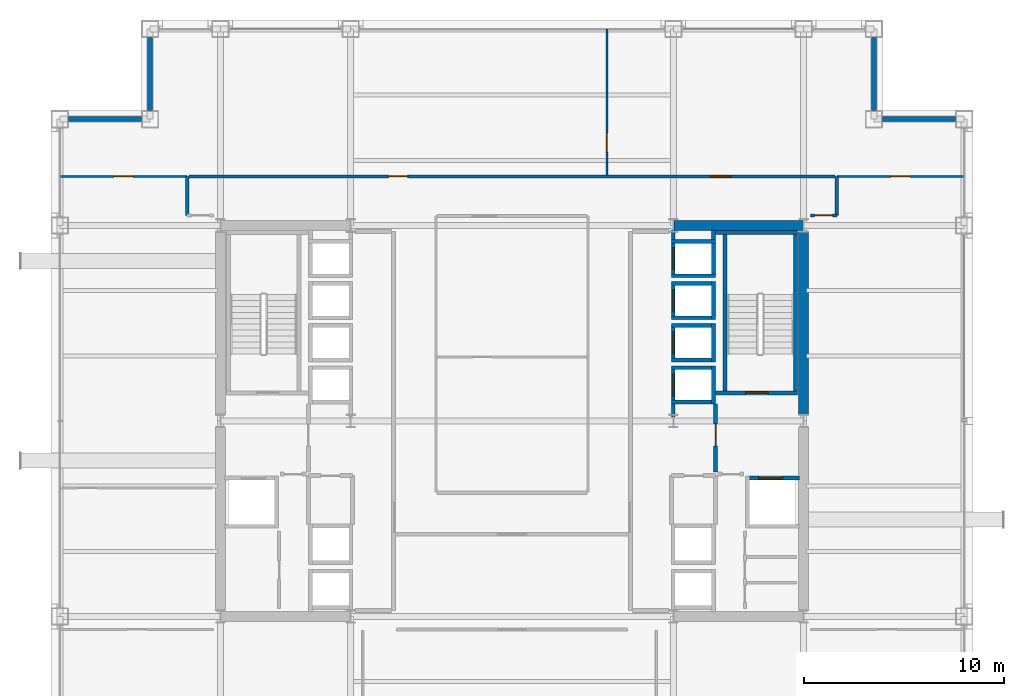
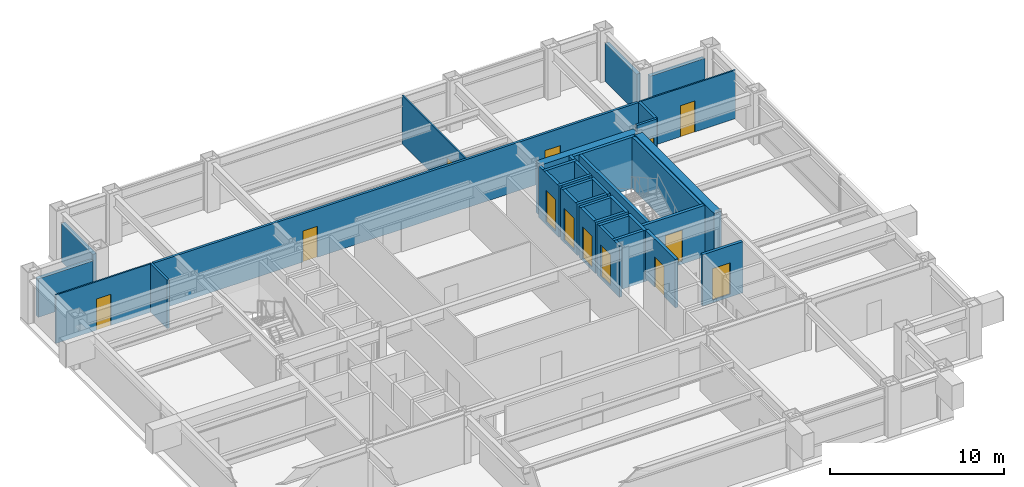
# One storey, part 26 of 28: 35 walls, 13 doors, 13 openings.
"""IFC4 building model written with IfcOpenShell, lengths in metres."""

from ifc_helpers import new_model, si_unit, direction, frame, frame_2d, origin, place, context, subcontext, project, spatial, rectangle, extrude, material, layer, layer_set, type_object, element, fill, save


model = new_model("IFC4")

# Units and contexts
model_context = context("Model", 3, precision=1e-05, world=origin(), true_north=direction((0.0, 1.0)))
body_context = subcontext(model_context, "Body", "Model", "MODEL_VIEW")
ifc_project = project(units=[si_unit("LENGTHUNIT", "METRE"), si_unit("AREAUNIT", "SQUARE_METRE"), si_unit("VOLUMEUNIT", "CUBIC_METRE"), si_unit("PLANEANGLEUNIT", "RADIAN"), si_unit("MASSUNIT", "GRAM", prefix="KILO")], contexts=[model_context])

# Site, building, storey
site_placement = place(None, origin())
site = spatial("IfcSite", under=ifc_project, at=site_placement, CompositionType="ELEMENT")
building_placement = place(site_placement, origin())
building = spatial("IfcBuilding", under=site, at=building_placement, Name="Brelmoor Portico Tower", CompositionType="ELEMENT")
storey_placement = place(building_placement, frame((0.0, 0.0, 91.800048828125)))
storey = spatial("IfcBuildingStorey", under=building, at=storey_placement, Name="L23", CompositionType="ELEMENT", Elevation=91.800048828125)

# Walls
ifc_material_1 = material(Name="Concrete C60", Category="concrete")
ifc_layer_1 = layer(ifc_material_1, 0.5)
ifc_layer_set_1 = layer_set([ifc_layer_1], Name="Concrete C60")
wall_type_1 = type_object("IfcWallType", Name="WL-CORE-500", PredefinedType="SHEAR", material=ifc_layer_set_1)
wall_1_placement = place(storey_placement, frame((8.070068359375, 9.75, -0.199951171875), z_axis=(0.0, 0.0, 1.0), x_axis=(1.0, 0.0, 0.0)))
element("IfcWall", 1, at=wall_1_placement, inside=storey, type_object=wall_type_1, Name="L23 EC North Shear Wall", PredefinedType="SHEAR", context=body_context, shape_type="SweptSolid", body=[
    extrude(rectangle(XDim=6.4599609375, YDim=0.5, at=frame_2d((3.22998046875, 0.0))), origin(), (0.0, 0.0, 1.0), 3.599853515625),
])
wall_2_placement = place(storey_placement, frame((14.550048828125, 0.324951171875, -0.199951171875), z_axis=(0.0, 0.0, 1.0), x_axis=(0.0, 1.0, 0.0)))
element("IfcWall", 2, at=wall_2_placement, inside=storey, type_object=wall_type_1, Name="L23 EC Outer North Shear Wall", PredefinedType="SHEAR", context=body_context, shape_type="SweptSolid", body=[
    extrude(rectangle(XDim=9.10009765625, YDim=0.5, at=frame_2d((4.550048828125, 0.0))), origin(), (0.0, 0.0, 1.0), 3.599853515625),
])
ifc_material_2 = material(Name="Precast Concrete C40 Insulated Facade Wall", Category="concrete")
ifc_layer_2 = layer(ifc_material_2, 0.25)
ifc_layer_set_2 = layer_set([ifc_layer_2], Name="Precast Concrete C40 Insulated Facade Wall")
wall_type_2 = type_object("IfcWallType", Name="WL-EXT-250", PredefinedType="STANDARD", material=ifc_layer_set_2)
for number, where, z_axis, x_axis, name in (
    (3, (-22.114990234375, 15.050048828125, 0.0), (0.0, 0.0, 1.0), (1.0, 0.0, 0.0), "L23 Corner Notch Facade Wall NNWH1"),
    (4, (-18.050048828125, 15.485107421875, 0.0), (0.0, 0.0, 1.0), (0.0, 1.0, 0.0), "L23 Corner Notch Facade Wall NNWV1"),
    (5, (18.485107421875, 15.050048828125, 0.0), (0.0, 0.0, 1.0), (1.0, 0.0, 0.0), "L23 Corner Notch Facade Wall NNEH1"),
    (6, (18.050048828125, 15.485107421875, 0.0), (0.0, 0.0, 1.0), (0.0, 1.0, 0.0), "L23 Corner Notch Facade Wall NNEV1"),
):
    element("IfcWall", number, at=place(storey_placement, frame(where, z_axis=z_axis, x_axis=x_axis)), inside=storey, type_object=wall_type_2, Name=name, PredefinedType="STANDARD", context=body_context, shape_type="SweptSolid", body=[
        extrude(rectangle(XDim=3.6298828125, YDim=0.25, at=frame_2d((1.81494140625, 0.0))), origin(), (0.0, 0.0, 1.0), 2.699951171875),
    ])

# Wall, opening, door
ifc_material_3 = material(Name="Demountable Glazed Office Partition", Category="aluminium")
ifc_layer_3 = layer(ifc_material_3, 0.10009765625)
ifc_layer_set_3 = layer_set([ifc_layer_3], Name="Demountable Glazed Office Partition")
wall_type_3 = type_object("IfcWallType", Name="WL-PART-100", PredefinedType="PARTITIONING", material=ifc_layer_set_3)
wall_3_placement = place(storey_placement, frame((4.73486328125, 12.260009765625, 0.0), z_axis=(0.0, 0.0, 1.0), x_axis=(0.0, 1.0, 0.0)))
wall_3 = element("IfcWall", 7, at=wall_3_placement, inside=storey, type_object=wall_type_3, Name="L23 North Suite Partition 1", PredefinedType="PARTITIONING", context=body_context, shape_type="SweptSolid", body=[
    extrude(rectangle(XDim=7.300048828125, YDim=0.10009765625, at=frame_2d((3.64990234375, 0.0))), origin(), (0.0, 0.0, 1.0), 3.39990234375),
])
opening_1_placement = place(wall_3_placement, frame((1.14990234375, 0.0, 0.0)))
opening_1 = element("IfcOpeningElement", 8, at=opening_1_placement, cuts=wall_3, Name="Opening D-IN2", PredefinedType="OPENING", context=body_context, shape_type="SweptSolid", body=[
    extrude(rectangle(XDim=0.9599609375, YDim=2.179931640625, at=frame_2d((0.47998046875, 1.08984375))), frame((0.0, 0.06005859375, 0.0), z_axis=(0.0, -1.0, 0.0), x_axis=(1.0, 0.0, 0.0)), (0.0, 0.0, 1.0), 0.1201171875),
])
ifc_material_4 = material(Name="Lacquered Timber Suite Door", Category="wood")
door_type_1 = type_object("IfcDoorType", Name="DR-INT-950", OperationType="NOTDEFINED", PredefinedType="DOOR", material=ifc_material_4)
door_1_placement = place(opening_1_placement, origin())
door_1 = element("IfcDoor", 9, at=door_1_placement, inside=storey, type_object=door_type_1, Name="D-1033 L23 North Suite Connecting Door 1", OperationType="SINGLE_SWING_RIGHT", OverallHeight=2.179931640625, OverallWidth=0.9599609375, PredefinedType="DOOR", context=body_context, shape_type="SweptSolid", body=[
    extrude(rectangle(XDim=0.9599609375, YDim=2.179931640625, at=frame_2d((0.47998046875, 1.08984375))), frame((0.0, 0.02490234375, 0.0), z_axis=(0.0, -1.0, 0.0), x_axis=(1.0, 0.0, 0.0)), (0.0, 0.0, 1.0), 0.050048828125),
])
fill(opening_1, door_1)

wall_4_placement = place(storey_placement, frame((-22.56005859375, 12.199951171875, 0.0), z_axis=(0.0, 0.0, 1.0), x_axis=(1.0, 0.0, 0.0)))
wall_4 = element("IfcWall", 10, at=wall_4_placement, inside=storey, type_object=wall_type_3, Name="L23 North Wing Closure WL", PredefinedType="PARTITIONING", context=body_context, shape_type="SweptSolid", body=[
    extrude(rectangle(XDim=6.360107421875, YDim=0.10009765625, at=frame_2d((3.18017578125, 0.0))), origin(), (0.0, 0.0, 1.0), 3.39990234375),
])
opening_2_placement = place(wall_4_placement, frame((2.699951171875, 0.0, 0.0)))
opening_2 = element("IfcOpeningElement", 11, at=opening_2_placement, cuts=wall_4, Name="Opening D-IN2", PredefinedType="OPENING", context=body_context, shape_type="SweptSolid", body=[
    extrude(rectangle(XDim=0.9599609375, YDim=2.179931640625, at=frame_2d((0.47998046875, 1.08984375))), frame((0.0, 0.06005859375, 0.0), z_axis=(0.0, -1.0, 0.0), x_axis=(1.0, 0.0, 0.0)), (0.0, 0.0, 1.0), 0.1201171875),
])
door_2_placement = place(opening_2_placement, origin())
door_2 = element("IfcDoor", 12, at=door_2_placement, inside=storey, type_object=door_type_1, Name="D-1035 L23 WL Wing North Suite Door", OperationType="SINGLE_SWING_LEFT", OverallHeight=2.179931640625, OverallWidth=0.9599609375, PredefinedType="DOOR", context=body_context, shape_type="SweptSolid", body=[
    extrude(rectangle(XDim=0.9599609375, YDim=2.179931640625, at=frame_2d((0.47998046875, 1.08984375))), frame((0.0, 0.02490234375, 0.0), z_axis=(0.0, -1.0, 0.0), x_axis=(1.0, 0.0, 0.0)), (0.0, 0.0, 1.0), 0.050048828125),
])
fill(opening_2, door_2)

wall_5_placement = place(storey_placement, frame((16.199951171875, 12.199951171875, 0.0), z_axis=(0.0, 0.0, 1.0), x_axis=(1.0, 0.0, 0.0)))
wall_5 = element("IfcWall", 13, at=wall_5_placement, inside=storey, type_object=wall_type_3, Name="L23 North Wing Closure ER", PredefinedType="PARTITIONING", context=body_context, shape_type="SweptSolid", body=[
    extrude(rectangle(XDim=6.360107421875, YDim=0.10009765625, at=frame_2d((3.18017578125, 0.0))), origin(), (0.0, 0.0, 1.0), 3.39990234375),
])
opening_3_placement = place(wall_5_placement, frame((2.699951171875, 0.0, 0.0)))
opening_3 = element("IfcOpeningElement", 14, at=opening_3_placement, cuts=wall_5, Name="Opening D-IN2", PredefinedType="OPENING", context=body_context, shape_type="SweptSolid", body=[
    extrude(rectangle(XDim=0.9599609375, YDim=2.179931640625, at=frame_2d((0.47998046875, 1.08984375))), frame((0.0, 0.06005859375, 0.0), z_axis=(0.0, -1.0, 0.0), x_axis=(1.0, 0.0, 0.0)), (0.0, 0.0, 1.0), 0.1201171875),
])
door_3_placement = place(opening_3_placement, origin())
door_3 = element("IfcDoor", 15, at=door_3_placement, inside=storey, type_object=door_type_1, Name="D-1034 L23 ER Wing North Suite Door", OperationType="SINGLE_SWING_RIGHT", OverallHeight=2.179931640625, OverallWidth=0.9599609375, PredefinedType="DOOR", context=body_context, shape_type="SweptSolid", body=[
    extrude(rectangle(XDim=0.9599609375, YDim=2.179931640625, at=frame_2d((0.47998046875, 1.08984375))), frame((0.0, 0.02490234375, 0.0), z_axis=(0.0, -1.0, 0.0), x_axis=(1.0, 0.0, 0.0)), (0.0, 0.0, 1.0), 0.050048828125),
])
fill(opening_3, door_3)

# Wall, openings, doors
ifc_material_5 = material(Name="Twin-Frame Acoustic Partition", Category="gypsum")
ifc_layer_4 = layer(ifc_material_5, 0.159912109375)
ifc_layer_set_4 = layer_set([ifc_layer_4], Name="Twin-Frame Acoustic Partition")
wall_type_4 = type_object("IfcWallType", Name="WL-PART-160", PredefinedType="PARTITIONING", material=ifc_layer_set_4)
wall_6_placement = place(storey_placement, frame((-16.10009765625, 12.199951171875, 0.0), z_axis=(0.0, 0.0, 1.0), x_axis=(1.0, 0.0, 0.0)))
wall_6 = element("IfcWall", 16, at=wall_6_placement, inside=storey, type_object=wall_type_4, Name="L23 North Corridor Partition", PredefinedType="PARTITIONING", context=body_context, shape_type="SweptSolid", body=[
    extrude(rectangle(XDim=32.2001953125, YDim=0.159912109375, at=frame_2d((16.10009765625, 0.0))), origin(), (0.0, 0.0, 1.0), 3.39990234375),
])
opening_4_placement = place(wall_6_placement, frame((9.9375, 0.0, 0.0)))
opening_4 = element("IfcOpeningElement", 17, at=opening_4_placement, cuts=wall_6, Name="Opening D-IN2", PredefinedType="OPENING", context=body_context, shape_type="SweptSolid", body=[
    extrude(rectangle(XDim=0.9599609375, YDim=2.179931640625, at=frame_2d((0.47998046875, 1.08984375))), frame((0.0, 0.08984375, 0.0), z_axis=(0.0, -1.0, 0.0), x_axis=(1.0, 0.0, 0.0)), (0.0, 0.0, 1.0), 0.179931640625),
])
opening_5_placement = place(wall_6_placement, frame((26.00732421875, 0.0, 0.0)))
opening_5 = element("IfcOpeningElement", 18, at=opening_5_placement, cuts=wall_6, Name="Opening D-OF1", PredefinedType="OPENING", context=body_context, shape_type="SweptSolid", body=[
    extrude(rectangle(XDim=1.02001953125, YDim=2.199951171875, at=frame_2d((0.510009765625, 1.10009765625))), frame((0.0, 0.08984375, 0.0), z_axis=(0.0, -1.0, 0.0), x_axis=(1.0, 0.0, 0.0)), (0.0, 0.0, 1.0), 0.179931640625),
])
door_4_placement = place(opening_4_placement, origin())
door_4 = element("IfcDoor", 19, at=door_4_placement, inside=storey, type_object=door_type_1, Name="D-1031 L23 North Open-Plan Office 1 Door", OperationType="SINGLE_SWING_LEFT", OverallHeight=2.179931640625, OverallWidth=0.9599609375, PredefinedType="DOOR", context=body_context, shape_type="SweptSolid", body=[
    extrude(rectangle(XDim=0.9599609375, YDim=2.179931640625, at=frame_2d((0.47998046875, 1.08984375))), frame((0.0, 0.02490234375, 0.0), z_axis=(0.0, -1.0, 0.0), x_axis=(1.0, 0.0, 0.0)), (0.0, 0.0, 1.0), 0.050048828125),
])
fill(opening_4, door_4)
ifc_material_6 = material(Name="Hardwood Acoustic Veneer Door", Category="wood")
door_type_2 = type_object("IfcDoorType", Name="DR-OFFICE-1000", OperationType="NOTDEFINED", PredefinedType="DOOR", material=ifc_material_6)
door_5_placement = place(opening_5_placement, origin())
door_5 = element("IfcDoor", 20, at=door_5_placement, inside=storey, type_object=door_type_2, Name="D-1032 L23 North First-Aid Medical Room 2 Door", OperationType="SINGLE_SWING_RIGHT", OverallHeight=2.199951171875, OverallWidth=1.02001953125, PredefinedType="DOOR", context=body_context, shape_type="SweptSolid", body=[
    extrude(rectangle(XDim=1.02001953125, YDim=2.199951171875, at=frame_2d((0.510009765625, 1.10009765625))), frame((0.0, 0.02490234375, 0.0), z_axis=(0.0, -1.0, 0.0), x_axis=(1.0, 0.0, 0.0)), (0.0, 0.0, 1.0), 0.050048828125),
])
fill(opening_5, door_5)

# Wall
wall_7_placement = place(storey_placement, frame((-16.199951171875, 10.25, 0.0), z_axis=(0.0, 0.0, 1.0), x_axis=(0.0, 1.0, 0.0)))
element("IfcWall", 21, at=wall_7_placement, inside=storey, type_object=wall_type_4, Name="L23 W Corridor End Closure", PredefinedType="PARTITIONING", context=body_context, shape_type="SweptSolid", body=[
    extrude(rectangle(XDim=1.949951171875, YDim=0.159912109375, at=frame_2d((0.97509765625, 0.0))), origin(), (0.0, 0.0, 1.0), 3.39990234375),
])

# Wall, opening, door
wall_8_placement = place(storey_placement, frame((14.8798828125, 10.25, 0.0), z_axis=(0.0, 0.0, 1.0), x_axis=(1.0, 0.0, 0.0)))
wall_8 = element("IfcWall", 22, at=wall_8_placement, inside=storey, type_object=wall_type_4, Name="L23 E Wing North Entry Wall", PredefinedType="PARTITIONING", context=body_context, shape_type="SweptSolid", body=[
    extrude(rectangle(XDim=1.320068359375, YDim=0.159912109375, at=frame_2d((0.66015625, 0.0))), origin(), (0.0, 0.0, 1.0), 3.39990234375),
])
opening_6_placement = place(wall_8_placement, frame((0.2099609375, 0.0, 0.0)))
opening_6 = element("IfcOpeningElement", 23, at=opening_6_placement, cuts=wall_8, Name="Opening D-IN1", PredefinedType="OPENING", context=body_context, shape_type="SweptSolid", body=[
    extrude(rectangle(XDim=0.89990234375, YDim=2.14990234375, at=frame_2d((0.449951171875, 1.074951171875))), frame((0.0, 0.08984375, 0.0), z_axis=(0.0, -1.0, 0.0), x_axis=(1.0, 0.0, 0.0)), (0.0, 0.0, 1.0), 0.179931640625),
])
door_type_3 = type_object("IfcDoorType", Name="DR-INT-900", OperationType="NOTDEFINED", PredefinedType="DOOR", material=ifc_material_4)
door_6_placement = place(opening_6_placement, origin())
door_6 = element("IfcDoor", 24, at=door_6_placement, inside=storey, type_object=door_type_3, Name="D-1043 L23 E Wing Entry Door", OperationType="SINGLE_SWING_LEFT", OverallHeight=2.14990234375, OverallWidth=0.89990234375, PredefinedType="DOOR", context=body_context, shape_type="SweptSolid", body=[
    extrude(rectangle(XDim=0.89990234375, YDim=2.14990234375, at=frame_2d((0.449951171875, 1.074951171875))), frame((0.0, 0.02490234375, 0.0), z_axis=(0.0, -1.0, 0.0), x_axis=(1.0, 0.0, 0.0)), (0.0, 0.0, 1.0), 0.050048828125),
])
fill(opening_6, door_6)

# Wall
wall_9_placement = place(storey_placement, frame((16.199951171875, 10.25, 0.0), z_axis=(0.0, 0.0, 1.0), x_axis=(0.0, 1.0, 0.0)))
element("IfcWall", 25, at=wall_9_placement, inside=storey, type_object=wall_type_4, Name="L23 E Corridor End Closure", PredefinedType="PARTITIONING", context=body_context, shape_type="SweptSolid", body=[
    extrude(rectangle(XDim=1.949951171875, YDim=0.159912109375, at=frame_2d((0.97509765625, 0.0))), origin(), (0.0, 0.0, 1.0), 3.39990234375),
])

# Wall, opening, door
ifc_material_7 = material(Name="Double-Stud Gypsum Fire Partition", Category="gypsum")
ifc_layer_5 = layer(ifc_material_7, 0.199951171875)
ifc_layer_set_5 = layer_set([ifc_layer_5], Name="Double-Stud Gypsum Fire Partition")
wall_type_5 = type_object("IfcWallType", Name="WL-PART-200", PredefinedType="PARTITIONING", material=ifc_layer_set_5)
wall_10_placement = place(storey_placement, frame((10.159912109375, -2.550048828125, 0.0), z_axis=(0.0, 0.0, 1.0), x_axis=(0.0, 1.0, 0.0)))
wall_10 = element("IfcWall", 26, at=wall_10_placement, inside=storey, type_object=wall_type_5, Name="L23 E Firefighting Lobby Wall", PredefinedType="PARTITIONING", context=body_context, shape_type="SweptSolid", body=[
    extrude(rectangle(XDim=3.400146484375, YDim=0.199951171875, at=frame_2d((1.7001953125, 0.0))), origin(), (0.0, 0.0, 1.0), 3.39990234375),
])
opening_7_placement = place(wall_10_placement, frame((1.300048828125, 0.0, 0.0)))
opening_7 = element("IfcOpeningElement", 27, at=opening_7_placement, cuts=wall_10, Name="Opening D-FR1", PredefinedType="OPENING", context=body_context, shape_type="SweptSolid", body=[
    extrude(rectangle(XDim=1.10009765625, YDim=2.14990234375, at=frame_2d((0.550048828125, 1.074951171875))), frame((0.0, 0.10986328125, 0.0), z_axis=(0.0, -1.0, 0.0), x_axis=(1.0, 0.0, 0.0)), (0.0, 0.0, 1.0), 0.219970703125),
])
ifc_material_8 = material(Name="Painted Galvanised Steel Fire Door", Category="steel")
door_type_4 = type_object("IfcDoorType", Name="DR-FIRE-1100", OperationType="NOTDEFINED", PredefinedType="DOOR", material=ifc_material_8)
door_7_placement = place(opening_7_placement, origin())
door_7 = element("IfcDoor", 28, at=door_7_placement, inside=storey, type_object=door_type_4, Name="D-1027 L23 E Firefighting Lobby Door", OperationType="SINGLE_SWING_RIGHT", OverallHeight=2.14990234375, OverallWidth=1.10009765625, PredefinedType="DOOR", context=body_context, shape_type="SweptSolid", body=[
    extrude(rectangle(XDim=1.10009765625, YDim=2.14990234375, at=frame_2d((0.550048828125, 1.074951171875))), frame((0.0, 0.02490234375, 0.0), z_axis=(0.0, -1.0, 0.0), x_axis=(1.0, 0.0, 0.0)), (0.0, 0.0, 1.0), 0.050048828125),
])
fill(opening_7, door_7)

ifc_material_9 = material(Name="Precast Concrete C40", Category="concrete")
ifc_layer_6 = layer(ifc_material_9, 0.18994140625)
ifc_layer_set_6 = layer_set([ifc_layer_6], Name="Precast Concrete C40")
wall_type_6 = type_object("IfcWallType", Name="WL-SHAFT-180", PredefinedType="SOLIDWALL", material=ifc_layer_set_6)
wall_11_placement = place(storey_placement, frame((8.044921875, 0.2099609375, -0.199951171875), z_axis=(0.0, 0.0, 1.0), x_axis=(0.0, 1.0, 0.0)))
wall_11 = element("IfcWall", 29, at=wall_11_placement, inside=storey, type_object=wall_type_6, Name="L23 Lift PM1 Hoistway Front Wall", PredefinedType="SOLIDWALL", context=body_context, shape_type="SweptSolid", body=[
    extrude(rectangle(XDim=2.5400390625, YDim=0.18994140625, at=frame_2d((1.27001953125, 0.0))), origin(), (0.0, 0.0, 1.0), 3.599853515625),
])
opening_8_placement = place(wall_11_placement, frame((1.0400390625, 0.0, 0.199951171875)))
opening_8 = element("IfcOpeningElement", 30, at=opening_8_placement, cuts=wall_11, Name="Opening LD-01", PredefinedType="OPENING", context=body_context, shape_type="SweptSolid", body=[
    extrude(rectangle(XDim=1.10009765625, YDim=2.199951171875, at=frame_2d((0.550048828125, 1.10009765625))), frame((0.0, 0.10498046875, 0.0), z_axis=(0.0, -1.0, 0.0), x_axis=(1.0, 0.0, 0.0)), (0.0, 0.0, 1.0), 0.2099609375),
])
ifc_material_10 = material(Name="Brushed Stainless Steel Sliding Lift Door", Category="steel")
door_type_5 = type_object("IfcDoorType", Name="DR-LIFT-1100", OperationType="NOTDEFINED", PredefinedType="DOOR", material=ifc_material_10)
door_8_placement = place(opening_8_placement, origin())
door_8 = element("IfcDoor", 31, at=door_8_placement, inside=storey, type_object=door_type_5, Name="D-1048 L23 Lift PM1 Sliding Landing Door", OperationType="SLIDING_TO_LEFT", OverallHeight=2.199951171875, OverallWidth=1.10009765625, PredefinedType="DOOR", context=body_context, shape_type="SweptSolid", body=[
    extrude(rectangle(XDim=1.10009765625, YDim=2.199951171875, at=frame_2d((0.550048828125, 1.10009765625))), frame((0.0, 0.02490234375, 0.0), z_axis=(0.0, -1.0, 0.0), x_axis=(1.0, 0.0, 0.0)), (0.0, 0.0, 1.0), 0.050048828125),
])
fill(opening_8, door_8)

# Walls
wall_12_placement = place(storey_placement, frame((10.054931640625, 0.85009765625, -0.199951171875), z_axis=(0.0, 0.0, 1.0), x_axis=(0.0, 1.0, 0.0)))
element("IfcWall", 32, at=wall_12_placement, inside=storey, type_object=wall_type_6, Name="L23 Lift PM1 Hoistway Back Wall", PredefinedType="SOLIDWALL", context=body_context, shape_type="SweptSolid", body=[
    extrude(rectangle(XDim=1.89990234375, YDim=0.18994140625, at=frame_2d((0.949951171875, 0.0))), origin(), (0.0, 0.0, 1.0), 3.599853515625),
])
for number, where, z_axis, x_axis, name in (
    (33, (7.949951171875, 2.655029296875, -0.199951171875), (0.0, 0.0, 1.0), (1.0, 0.0, 0.0), "L23 Lift PM1 Hoistway North Wall"),
    (34, (7.949951171875, 0.945068359375, -0.199951171875), (0.0, 0.0, 1.0), (1.0, 0.0, 0.0), "L23 Lift PM1 Hoistway South Wall"),
):
    element("IfcWall", number, at=place(storey_placement, frame(where, z_axis=z_axis, x_axis=x_axis)), inside=storey, type_object=wall_type_6, Name=name, PredefinedType="SOLIDWALL", context=body_context, shape_type="SweptSolid", body=[
        extrude(rectangle(XDim=2.199951171875, YDim=0.18994140625, at=frame_2d((1.10009765625, 0.0))), origin(), (0.0, 0.0, 1.0), 3.599853515625),
    ])

# Wall, opening, door
wall_13_placement = place(storey_placement, frame((8.044921875, 2.949951171875, -0.199951171875), z_axis=(0.0, 0.0, 1.0), x_axis=(0.0, 1.0, 0.0)))
wall_13 = element("IfcWall", 35, at=wall_13_placement, inside=storey, type_object=wall_type_6, Name="L23 Lift PM2 Hoistway Front Wall", PredefinedType="SOLIDWALL", context=body_context, shape_type="SweptSolid", body=[
    extrude(rectangle(XDim=1.900146484375, YDim=0.18994140625, at=frame_2d((0.9501953125, 0.0))), origin(), (0.0, 0.0, 1.0), 3.599853515625),
])
opening_9_placement = place(wall_13_placement, frame((0.39990234375, 0.0, 0.199951171875)))
opening_9 = element("IfcOpeningElement", 36, at=opening_9_placement, cuts=wall_13, Name="Opening LD-01", PredefinedType="OPENING", context=body_context, shape_type="SweptSolid", body=[
    extrude(rectangle(XDim=1.10009765625, YDim=2.199951171875, at=frame_2d((0.550048828125, 1.10009765625))), frame((0.0, 0.10498046875, 0.0), z_axis=(0.0, -1.0, 0.0), x_axis=(1.0, 0.0, 0.0)), (0.0, 0.0, 1.0), 0.2099609375),
])
door_9_placement = place(opening_9_placement, origin())
door_9 = element("IfcDoor", 37, at=door_9_placement, inside=storey, type_object=door_type_5, Name="D-1049 L23 Lift PM2 Sliding Landing Door", OperationType="SLIDING_TO_LEFT", OverallHeight=2.199951171875, OverallWidth=1.10009765625, PredefinedType="DOOR", context=body_context, shape_type="SweptSolid", body=[
    extrude(rectangle(XDim=1.10009765625, YDim=2.199951171875, at=frame_2d((0.550048828125, 1.10009765625))), frame((0.0, 0.02490234375, 0.0), z_axis=(0.0, -1.0, 0.0), x_axis=(1.0, 0.0, 0.0)), (0.0, 0.0, 1.0), 0.050048828125),
])
fill(opening_9, door_9)

# Walls
wall_14_placement = place(storey_placement, frame((10.054931640625, 2.949951171875, -0.199951171875), z_axis=(0.0, 0.0, 1.0), x_axis=(0.0, 1.0, 0.0)))
element("IfcWall", 38, at=wall_14_placement, inside=storey, type_object=wall_type_6, Name="L23 Lift PM2 Hoistway Back Wall", PredefinedType="SOLIDWALL", context=body_context, shape_type="SweptSolid", body=[
    extrude(rectangle(XDim=1.900146484375, YDim=0.18994140625, at=frame_2d((0.9501953125, 0.0))), origin(), (0.0, 0.0, 1.0), 3.599853515625),
])
for number, where, z_axis, x_axis, name in (
    (39, (7.949951171875, 4.7548828125, -0.199951171875), (0.0, 0.0, 1.0), (1.0, 0.0, 0.0), "L23 Lift PM2 Hoistway North Wall"),
    (40, (7.949951171875, 3.044921875, -0.199951171875), (0.0, 0.0, 1.0), (1.0, 0.0, 0.0), "L23 Lift PM2 Hoistway South Wall"),
):
    element("IfcWall", number, at=place(storey_placement, frame(where, z_axis=z_axis, x_axis=x_axis)), inside=storey, type_object=wall_type_6, Name=name, PredefinedType="SOLIDWALL", context=body_context, shape_type="SweptSolid", body=[
        extrude(rectangle(XDim=2.199951171875, YDim=0.18994140625, at=frame_2d((1.10009765625, 0.0))), origin(), (0.0, 0.0, 1.0), 3.599853515625),
    ])

# Wall, opening, door
wall_15_placement = place(storey_placement, frame((8.044921875, 5.050048828125, -0.199951171875), z_axis=(0.0, 0.0, 1.0), x_axis=(0.0, 1.0, 0.0)))
wall_15 = element("IfcWall", 41, at=wall_15_placement, inside=storey, type_object=wall_type_6, Name="L23 Lift PM3 Hoistway Front Wall", PredefinedType="SOLIDWALL", context=body_context, shape_type="SweptSolid", body=[
    extrude(rectangle(XDim=1.89990234375, YDim=0.18994140625, at=frame_2d((0.949951171875, 0.0))), origin(), (0.0, 0.0, 1.0), 3.599853515625),
])
opening_10_placement = place(wall_15_placement, frame((0.39990234375, 0.0, 0.199951171875)))
opening_10 = element("IfcOpeningElement", 42, at=opening_10_placement, cuts=wall_15, Name="Opening LD-01", PredefinedType="OPENING", context=body_context, shape_type="SweptSolid", body=[
    extrude(rectangle(XDim=1.10009765625, YDim=2.199951171875, at=frame_2d((0.550048828125, 1.10009765625))), frame((0.0, 0.10498046875, 0.0), z_axis=(0.0, -1.0, 0.0), x_axis=(1.0, 0.0, 0.0)), (0.0, 0.0, 1.0), 0.2099609375),
])
door_10_placement = place(opening_10_placement, origin())
door_10 = element("IfcDoor", 43, at=door_10_placement, inside=storey, type_object=door_type_5, Name="D-1050 L23 Lift PM3 Sliding Landing Door", OperationType="SLIDING_TO_LEFT", OverallHeight=2.199951171875, OverallWidth=1.10009765625, PredefinedType="DOOR", context=body_context, shape_type="SweptSolid", body=[
    extrude(rectangle(XDim=1.10009765625, YDim=2.199951171875, at=frame_2d((0.550048828125, 1.10009765625))), frame((0.0, 0.02490234375, 0.0), z_axis=(0.0, -1.0, 0.0), x_axis=(1.0, 0.0, 0.0)), (0.0, 0.0, 1.0), 0.050048828125),
])
fill(opening_10, door_10)

# Walls
wall_16_placement = place(storey_placement, frame((10.054931640625, 5.050048828125, -0.199951171875), z_axis=(0.0, 0.0, 1.0), x_axis=(0.0, 1.0, 0.0)))
element("IfcWall", 44, at=wall_16_placement, inside=storey, type_object=wall_type_6, Name="L23 Lift PM3 Hoistway Back Wall", PredefinedType="SOLIDWALL", context=body_context, shape_type="SweptSolid", body=[
    extrude(rectangle(XDim=1.89990234375, YDim=0.18994140625, at=frame_2d((0.949951171875, 0.0))), origin(), (0.0, 0.0, 1.0), 3.599853515625),
])
for number, where, z_axis, x_axis, name in (
    (45, (7.949951171875, 6.85498046875, -0.199951171875), (0.0, 0.0, 1.0), (1.0, 0.0, 0.0), "L23 Lift PM3 Hoistway North Wall"),
    (46, (7.949951171875, 5.14501953125, -0.199951171875), (0.0, 0.0, 1.0), (1.0, 0.0, 0.0), "L23 Lift PM3 Hoistway South Wall"),
):
    element("IfcWall", number, at=place(storey_placement, frame(where, z_axis=z_axis, x_axis=x_axis)), inside=storey, type_object=wall_type_6, Name=name, PredefinedType="SOLIDWALL", context=body_context, shape_type="SweptSolid", body=[
        extrude(rectangle(XDim=2.199951171875, YDim=0.18994140625, at=frame_2d((1.10009765625, 0.0))), origin(), (0.0, 0.0, 1.0), 3.599853515625),
    ])

# Wall, opening, door
wall_17_placement = place(storey_placement, frame((8.044921875, 7.14990234375, -0.199951171875), z_axis=(0.0, 0.0, 1.0), x_axis=(0.0, 1.0, 0.0)))
wall_17 = element("IfcWall", 47, at=wall_17_placement, inside=storey, type_object=wall_type_6, Name="L23 Lift PM4 Hoistway Front Wall", PredefinedType="SOLIDWALL", context=body_context, shape_type="SweptSolid", body=[
    extrude(rectangle(XDim=2.3701171875, YDim=0.18994140625, at=frame_2d((1.18505859375, 0.0))), origin(), (0.0, 0.0, 1.0), 3.599853515625),
])
opening_11_placement = place(wall_17_placement, frame((0.39990234375, 0.0, 0.199951171875)))
opening_11 = element("IfcOpeningElement", 48, at=opening_11_placement, cuts=wall_17, Name="Opening LD-01", PredefinedType="OPENING", context=body_context, shape_type="SweptSolid", body=[
    extrude(rectangle(XDim=1.10009765625, YDim=2.199951171875, at=frame_2d((0.550048828125, 1.10009765625))), frame((0.0, 0.10498046875, 0.0), z_axis=(0.0, -1.0, 0.0), x_axis=(1.0, 0.0, 0.0)), (0.0, 0.0, 1.0), 0.2099609375),
])
door_11_placement = place(opening_11_placement, origin())
door_11 = element("IfcDoor", 49, at=door_11_placement, inside=storey, type_object=door_type_5, Name="D-1051 L23 Lift PM4 Sliding Landing Door", OperationType="SLIDING_TO_LEFT", OverallHeight=2.199951171875, OverallWidth=1.10009765625, PredefinedType="DOOR", context=body_context, shape_type="SweptSolid", body=[
    extrude(rectangle(XDim=1.10009765625, YDim=2.199951171875, at=frame_2d((0.550048828125, 1.10009765625))), frame((0.0, 0.02490234375, 0.0), z_axis=(0.0, -1.0, 0.0), x_axis=(1.0, 0.0, 0.0)), (0.0, 0.0, 1.0), 0.050048828125),
])
fill(opening_11, door_11)

# Walls
wall_18_placement = place(storey_placement, frame((10.054931640625, 7.14990234375, -0.199951171875), z_axis=(0.0, 0.0, 1.0), x_axis=(0.0, 1.0, 0.0)))
element("IfcWall", 50, at=wall_18_placement, inside=storey, type_object=wall_type_6, Name="L23 Lift PM4 Hoistway Back Wall", PredefinedType="SOLIDWALL", context=body_context, shape_type="SweptSolid", body=[
    extrude(rectangle(XDim=2.3701171875, YDim=0.18994140625, at=frame_2d((1.18505859375, 0.0))), origin(), (0.0, 0.0, 1.0), 3.599853515625),
])
for number, where, z_axis, x_axis, name in (
    (51, (7.949951171875, 8.955078125, -0.199951171875), (0.0, 0.0, 1.0), (1.0, 0.0, 0.0), "L23 Lift PM4 Hoistway North Wall"),
    (52, (7.949951171875, 7.2451171875, -0.199951171875), (0.0, 0.0, 1.0), (1.0, 0.0, 0.0), "L23 Lift PM4 Hoistway South Wall"),
):
    element("IfcWall", number, at=place(storey_placement, frame(where, z_axis=z_axis, x_axis=x_axis)), inside=storey, type_object=wall_type_6, Name=name, PredefinedType="SOLIDWALL", context=body_context, shape_type="SweptSolid", body=[
        extrude(rectangle(XDim=2.199951171875, YDim=0.18994140625, at=frame_2d((1.10009765625, 0.0))), origin(), (0.0, 0.0, 1.0), 3.599853515625),
    ])

# Wall, opening, door
wall_19_placement = place(storey_placement, frame((11.64990234375, -2.844970703125, -0.199951171875), z_axis=(0.0, 0.0, 1.0), x_axis=(1.0, 0.0, 0.0)))
wall_19 = element("IfcWall", 53, at=wall_19_placement, inside=storey, type_object=wall_type_6, Name="L23 Lift FF2 Hoistway Front Wall", PredefinedType="SOLIDWALL", context=body_context, shape_type="SweptSolid", body=[
    extrude(rectangle(XDim=2.68017578125, YDim=0.18994140625, at=frame_2d((1.340087890625, 0.0))), origin(), (0.0, 0.0, 1.0), 3.599853515625),
])
opening_12_placement = place(wall_19_placement, frame((0.64990234375, 0.0, 0.199951171875)))
opening_12 = element("IfcOpeningElement", 54, at=opening_12_placement, cuts=wall_19, Name="Opening LD-02", PredefinedType="OPENING", context=body_context, shape_type="SweptSolid", body=[
    extrude(rectangle(XDim=1.199951171875, YDim=2.199951171875, at=frame_2d((0.60009765625, 1.10009765625))), frame((0.0, 0.10498046875, 0.0), z_axis=(0.0, -1.0, 0.0), x_axis=(1.0, 0.0, 0.0)), (0.0, 0.0, 1.0), 0.2099609375),
])
ifc_material_11 = material(Name="Brushed Stainless Steel Firefighting Lift Door", Category="steel")
door_type_6 = type_object("IfcDoorType", Name="DR-LIFT-1200", OperationType="NOTDEFINED", PredefinedType="DOOR", material=ifc_material_11)
door_12_placement = place(opening_12_placement, origin())
door_12 = element("IfcDoor", 55, at=door_12_placement, inside=storey, type_object=door_type_6, Name="D-1047 L23 Lift FF2 Sliding Landing Door", OperationType="SLIDING_TO_LEFT", OverallHeight=2.199951171875, OverallWidth=1.199951171875, PredefinedType="DOOR", context=body_context, shape_type="SweptSolid", body=[
    extrude(rectangle(XDim=1.199951171875, YDim=2.199951171875, at=frame_2d((0.60009765625, 1.10009765625))), frame((0.0, 0.02490234375, 0.0), z_axis=(0.0, -1.0, 0.0), x_axis=(1.0, 0.0, 0.0)), (0.0, 0.0, 1.0), 0.050048828125),
])
fill(opening_12, door_12)

# Wall
ifc_material_12 = material(Name="Concrete C40", Category="concrete")
ifc_layer_7 = layer(ifc_material_12, 0.199951171875)
ifc_layer_set_7 = layer_set([ifc_layer_7], Name="Concrete C40")
wall_type_7 = type_object("IfcWallType", Name="WL-SHAFT-RC200", PredefinedType="SOLIDWALL", material=ifc_layer_set_7)
wall_20_placement = place(storey_placement, frame((14.14990234375, 1.5, -0.199951171875), z_axis=(0.0, 0.0, 1.0), x_axis=(0.0, 1.0, 0.0)))
element("IfcWall", 56, at=wall_20_placement, inside=storey, type_object=wall_type_7, Name="L23 ST-E Structural Stair Wall Outer", PredefinedType="SOLIDWALL", context=body_context, shape_type="SweptSolid", body=[
    extrude(rectangle(XDim=7.800048828125, YDim=0.199951171875, at=frame_2d((3.89990234375, 0.0))), origin(), (0.0, 0.0, 1.0), 3.599853515625),
])

# Wall, opening, door
wall_21_placement = place(storey_placement, frame((10.14990234375, 1.39990234375, -0.199951171875), z_axis=(0.0, 0.0, 1.0), x_axis=(1.0, 0.0, 0.0)))
wall_21 = element("IfcWall", 57, at=wall_21_placement, inside=storey, type_object=wall_type_7, Name="L23 ST-E Structural Stair Wall S", PredefinedType="SOLIDWALL", context=body_context, shape_type="SweptSolid", body=[
    extrude(rectangle(XDim=4.10009765625, YDim=0.199951171875, at=frame_2d((2.050048828125, 0.0))), origin(), (0.0, 0.0, 1.0), 3.599853515625),
])
opening_13_placement = place(wall_21_placement, frame((1.5, 0.0, 0.199951171875)))
opening_13 = element("IfcOpeningElement", 58, at=opening_13_placement, cuts=wall_21, Name="Opening D-ST1", PredefinedType="OPENING", context=body_context, shape_type="SweptSolid", body=[
    extrude(rectangle(XDim=1.1201171875, YDim=2.179931640625, at=frame_2d((0.56005859375, 1.08984375))), frame((0.0, 0.10986328125, 0.0), z_axis=(0.0, -1.0, 0.0), x_axis=(1.0, 0.0, 0.0)), (0.0, 0.0, 1.0), 0.219970703125),
])
door_type_7 = type_object("IfcDoorType", Name="DR-STAIR-1100", OperationType="NOTDEFINED", PredefinedType="DOOR", material=ifc_material_8)
door_13_placement = place(opening_13_placement, origin())
door_13 = element("IfcDoor", 59, at=door_13_placement, inside=storey, type_object=door_type_7, Name="D-1039 L23 ST-E Protected Exit Stair Door", OperationType="SINGLE_SWING_RIGHT", OverallHeight=2.179931640625, OverallWidth=1.1201171875, PredefinedType="DOOR", context=body_context, shape_type="SweptSolid", body=[
    extrude(rectangle(XDim=1.1201171875, YDim=2.179931640625, at=frame_2d((0.56005859375, 1.08984375))), frame((0.0, 0.02490234375, 0.0), z_axis=(0.0, -1.0, 0.0), x_axis=(1.0, 0.0, 0.0)), (0.0, 0.0, 1.0), 0.050048828125),
])
fill(opening_13, door_13)

# Walls
wall_22_placement = place(storey_placement, frame((10.14990234375, 9.39990234375, -0.199951171875), z_axis=(0.0, 0.0, 1.0), x_axis=(1.0, 0.0, 0.0)))
element("IfcWall", 60, at=wall_22_placement, inside=storey, type_object=wall_type_7, Name="L23 ST-E Structural Stair Wall N", PredefinedType="SOLIDWALL", context=body_context, shape_type="SweptSolid", body=[
    extrude(rectangle(XDim=4.10009765625, YDim=0.199951171875, at=frame_2d((2.050048828125, 0.0))), origin(), (0.0, 0.0, 1.0), 3.599853515625),
])
wall_23_placement = place(storey_placement, frame((10.6298828125, 1.5, -0.199951171875), z_axis=(0.0, 0.0, 1.0), x_axis=(0.0, 1.0, 0.0)))
element("IfcWall", 61, at=wall_23_placement, inside=storey, type_object=wall_type_7, Name="L23 ST-E Structural Stair Wall Inner", PredefinedType="SOLIDWALL", context=body_context, shape_type="SweptSolid", body=[
    extrude(rectangle(XDim=7.800048828125, YDim=0.199951171875, at=frame_2d((3.89990234375, 0.0))), origin(), (0.0, 0.0, 1.0), 3.599853515625),
])

save(model, "model.ifc")
